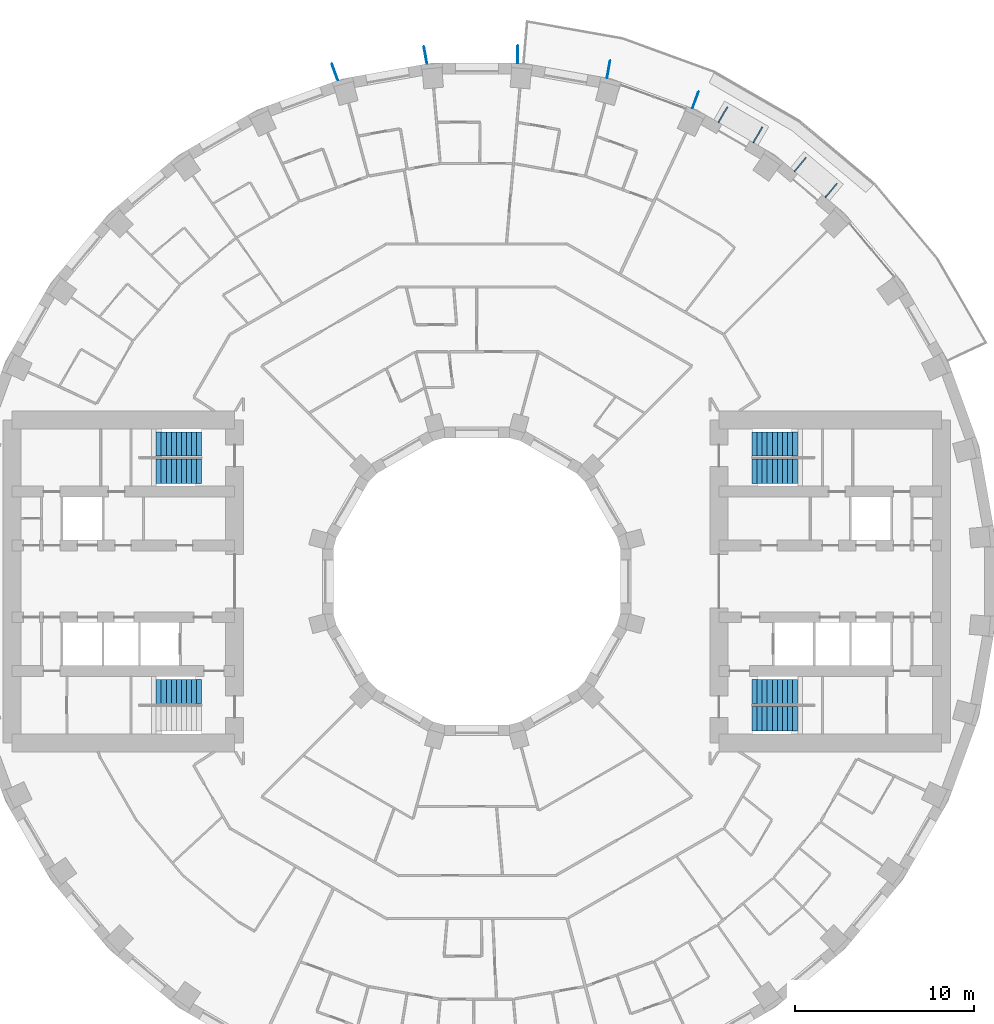
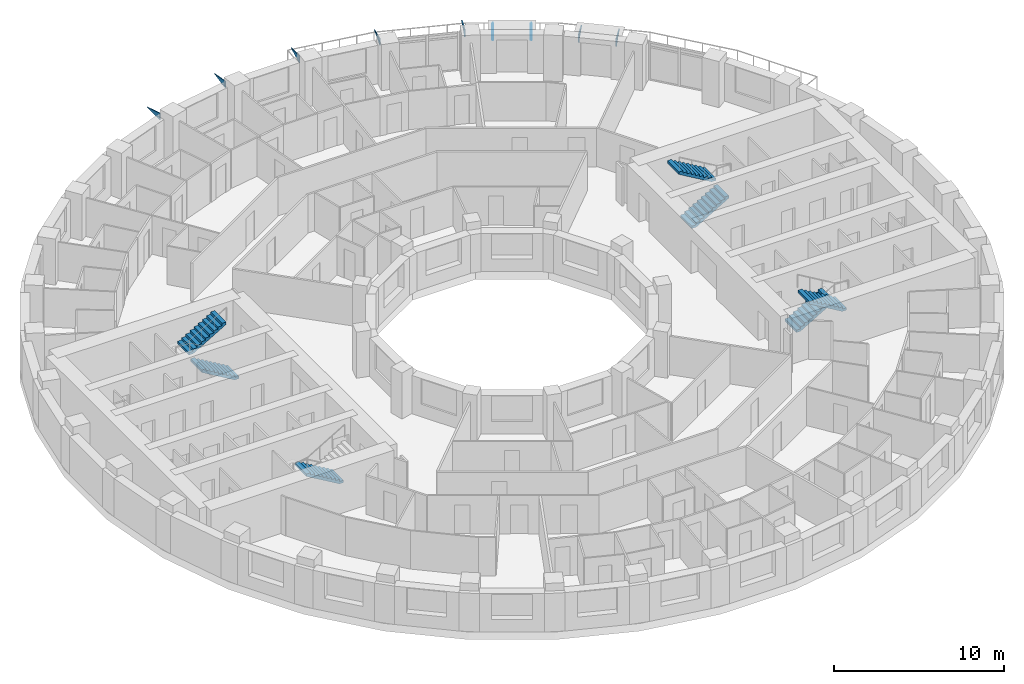
# One storey, part 14 of 15: 9 discrete accessories, 7 stair flights, 4 elements without a shape of their own.
"""IFC4 building model written with IfcOpenShell, lengths in metres."""

from ifc_helpers import new_model, si_unit, direction, frame, origin, place, context, subcontext, project, spatial, polyline, outline, extrude, material, layer, layer_set, type_object, element, aggregate, save


model = new_model("IFC4")

# Units and contexts
model_context = context("Model", 3, precision=1e-05, world=origin(), true_north=direction((0.0, 1.0)))
body_context = subcontext(model_context, "Body", "Model", "MODEL_VIEW")
ifc_project = project(units=[si_unit("LENGTHUNIT", "METRE"), si_unit("AREAUNIT", "SQUARE_METRE"), si_unit("VOLUMEUNIT", "CUBIC_METRE"), si_unit("PLANEANGLEUNIT", "RADIAN"), si_unit("MASSUNIT", "GRAM", prefix="KILO")], contexts=[model_context])

# Site, building, storey
site_placement = place(None, origin())
site = spatial("IfcSite", under=ifc_project, at=site_placement, CompositionType="ELEMENT")
building_placement = place(site_placement, origin())
building = spatial("IfcBuilding", under=site, at=building_placement, Name="Saqina Gate Tower", CompositionType="ELEMENT")
storey_placement = place(building_placement, frame((0.0, 0.0, 72.5)))
storey = spatial("IfcBuildingStorey", under=building, at=storey_placement, Name="L20", CompositionType="ELEMENT", Elevation=72.5)

# Stair, stair flights
ifc_material_1 = material(Name="Concrete C40/50", Category="concrete")
stair_type = type_object("IfcStairType", Name="EXIT STAIR", PredefinedType="HALF_TURN_STAIR", material=ifc_material_1)
stair_1_placement = place(storey_placement, origin())
stair_1 = element("IfcStair", 1, at=stair_1_placement, inside=storey, type_object=stair_type, Name="EXIT STAIR 1", PredefinedType="HALF_TURN_STAIR")
ifc_material_2 = material(Name="Concrete C40/50", Category="concrete")
stair_flight_type = type_object("IfcStairFlightType", Name="EXIT STAIR FLIGHT", PredefinedType="STRAIGHT", material=ifc_material_2)
stair_flight_1_placement = place(storey_placement, frame((15.35009765625, 6.1416015625, 0.0), z_axis=(0.0, 0.0, 1.0), x_axis=(1.0, 0.0, 0.0)))
stair_flight_1 = element("IfcStairFlight", 2, at=stair_flight_1_placement, type_object=stair_flight_type, Name="EXIT STAIR 1 FLIGHT 1", NumberOfRisers=10, NumberOfTreads=9, PredefinedType="STRAIGHT", RiserHeight=0.165, TreadLength=0.28, context=body_context, shape_type="SweptSolid", body=[
    extrude(outline(polyline([(0.0, 0.0), (0.0, 0.1650390625), (0.280029296875, 0.1650390625), (0.280029296875, 0.330078125), (0.56005859375, 0.330078125), (0.56005859375, 0.4951171875), (0.840087890625, 0.4951171875), (0.840087890625, 0.659912109375), (1.1201171875, 0.659912109375), (1.1201171875, 0.824951171875), (1.39990234375, 0.824951171875), (1.39990234375, 0.989990234375), (1.679931640625, 0.989990234375), (1.679931640625, 1.155029296875), (1.9599609375, 1.155029296875), (1.9599609375, 1.320068359375), (2.239990234375, 1.320068359375), (2.239990234375, 1.485107421875), (2.52001953125, 1.485107421875), (2.52001953125, 1.64990234375), (2.52001953125, 1.31103515625), (0.295166015625, 0.0), (0.0, 0.0)])), frame((0.0, 0.675048828125, 0.0), z_axis=(0.0, -1.0, 0.0), x_axis=(1.0, 0.0, 0.0)), (0.0, 0.0, 1.0), 1.35009765625),
])
stair_flight_2_placement = place(storey_placement, frame((17.8701171875, 7.658447265625, 1.64990234375), z_axis=(0.0, 0.0, 1.0), x_axis=(-1.0, 0.0, 0.0)))
stair_flight_2 = element("IfcStairFlight", 3, at=stair_flight_2_placement, type_object=stair_flight_type, Name="EXIT STAIR 1 FLIGHT 2", NumberOfRisers=10, NumberOfTreads=9, PredefinedType="STRAIGHT", RiserHeight=0.165, TreadLength=0.28, context=body_context, shape_type="SweptSolid", body=[
    extrude(outline(polyline([(0.0, 0.0), (0.0, 0.1650390625), (0.280029296875, 0.1650390625), (0.280029296875, 0.330078125), (0.56005859375, 0.330078125), (0.56005859375, 0.4951171875), (0.840087890625, 0.4951171875), (0.840087890625, 0.659912109375), (1.1201171875, 0.659912109375), (1.1201171875, 0.824951171875), (1.39990234375, 0.824951171875), (1.39990234375, 0.989990234375), (1.679931640625, 0.989990234375), (1.679931640625, 1.155029296875), (1.9599609375, 1.155029296875), (1.9599609375, 1.320068359375), (2.239990234375, 1.320068359375), (2.239990234375, 1.485107421875), (2.52001953125, 1.485107421875), (2.52001953125, 1.64990234375), (2.52001953125, 1.31103515625), (0.295166015625, 0.0), (0.0, 0.0)])), frame((0.0, 0.675048828125, 0.0), z_axis=(0.0, -1.0, 0.0), x_axis=(1.0, 0.0, 0.0)), (0.0, 0.0, 1.0), 1.35009765625),
])
aggregate(stair_1, [stair_flight_1, stair_flight_2])

stair_2_placement = place(storey_placement, origin())
stair_2 = element("IfcStair", 4, at=stair_2_placement, inside=storey, type_object=stair_type, Name="EXIT STAIR 2", PredefinedType="HALF_TURN_STAIR")
stair_flight_3_placement = place(storey_placement, frame((15.35009765625, -6.1416015625, 0.0), z_axis=(0.0, 0.0, 1.0), x_axis=(1.0, 0.0, 0.0)))
stair_flight_3 = element("IfcStairFlight", 5, at=stair_flight_3_placement, type_object=stair_flight_type, Name="EXIT STAIR 2 FLIGHT 1", NumberOfRisers=10, NumberOfTreads=9, PredefinedType="STRAIGHT", RiserHeight=0.165, TreadLength=0.28, context=body_context, shape_type="SweptSolid", body=[
    extrude(outline(polyline([(0.0, 0.0), (0.0, 0.1650390625), (0.280029296875, 0.1650390625), (0.280029296875, 0.330078125), (0.56005859375, 0.330078125), (0.56005859375, 0.4951171875), (0.840087890625, 0.4951171875), (0.840087890625, 0.659912109375), (1.1201171875, 0.659912109375), (1.1201171875, 0.824951171875), (1.39990234375, 0.824951171875), (1.39990234375, 0.989990234375), (1.679931640625, 0.989990234375), (1.679931640625, 1.155029296875), (1.9599609375, 1.155029296875), (1.9599609375, 1.320068359375), (2.239990234375, 1.320068359375), (2.239990234375, 1.485107421875), (2.52001953125, 1.485107421875), (2.52001953125, 1.64990234375), (2.52001953125, 1.31103515625), (0.295166015625, 0.0), (0.0, 0.0)])), frame((0.0, 0.675048828125, 0.0), z_axis=(0.0, -1.0, 0.0), x_axis=(1.0, 0.0, 0.0)), (0.0, 0.0, 1.0), 1.35009765625),
])
stair_flight_4_placement = place(storey_placement, frame((17.8701171875, -7.658447265625, 1.64990234375), z_axis=(0.0, 0.0, 1.0), x_axis=(-1.0, 0.0, 0.0)))
stair_flight_4 = element("IfcStairFlight", 6, at=stair_flight_4_placement, type_object=stair_flight_type, Name="EXIT STAIR 2 FLIGHT 2", NumberOfRisers=10, NumberOfTreads=9, PredefinedType="STRAIGHT", RiserHeight=0.165, TreadLength=0.28, context=body_context, shape_type="SweptSolid", body=[
    extrude(outline(polyline([(0.0, 0.0), (0.0, 0.1650390625), (0.280029296875, 0.1650390625), (0.280029296875, 0.330078125), (0.56005859375, 0.330078125), (0.56005859375, 0.4951171875), (0.840087890625, 0.4951171875), (0.840087890625, 0.659912109375), (1.1201171875, 0.659912109375), (1.1201171875, 0.824951171875), (1.39990234375, 0.824951171875), (1.39990234375, 0.989990234375), (1.679931640625, 0.989990234375), (1.679931640625, 1.155029296875), (1.9599609375, 1.155029296875), (1.9599609375, 1.320068359375), (2.239990234375, 1.320068359375), (2.239990234375, 1.485107421875), (2.52001953125, 1.485107421875), (2.52001953125, 1.64990234375), (2.52001953125, 1.31103515625), (0.295166015625, 0.0), (0.0, 0.0)])), frame((0.0, 0.675048828125, 0.0), z_axis=(0.0, -1.0, 0.0), x_axis=(1.0, 0.0, 0.0)), (0.0, 0.0, 1.0), 1.35009765625),
])
aggregate(stair_2, [stair_flight_3, stair_flight_4])

stair_3_placement = place(storey_placement, origin())
stair_3 = element("IfcStair", 7, at=stair_3_placement, inside=storey, type_object=stair_type, Name="EXIT STAIR 3", PredefinedType="HALF_TURN_STAIR")
stair_flight_5_placement = place(storey_placement, frame((-15.35009765625, 6.1416015625, 0.0), z_axis=(0.0, 0.0, 1.0), x_axis=(-1.0, 0.0, 0.0)))
stair_flight_5 = element("IfcStairFlight", 8, at=stair_flight_5_placement, type_object=stair_flight_type, Name="EXIT STAIR 3 FLIGHT 1", NumberOfRisers=10, NumberOfTreads=9, PredefinedType="STRAIGHT", RiserHeight=0.165, TreadLength=0.28, context=body_context, shape_type="SweptSolid", body=[
    extrude(outline(polyline([(0.0, 0.0), (0.0, 0.1650390625), (0.280029296875, 0.1650390625), (0.280029296875, 0.330078125), (0.56005859375, 0.330078125), (0.56005859375, 0.4951171875), (0.840087890625, 0.4951171875), (0.840087890625, 0.659912109375), (1.1201171875, 0.659912109375), (1.1201171875, 0.824951171875), (1.39990234375, 0.824951171875), (1.39990234375, 0.989990234375), (1.679931640625, 0.989990234375), (1.679931640625, 1.155029296875), (1.9599609375, 1.155029296875), (1.9599609375, 1.320068359375), (2.239990234375, 1.320068359375), (2.239990234375, 1.485107421875), (2.52001953125, 1.485107421875), (2.52001953125, 1.64990234375), (2.52001953125, 1.31103515625), (0.295166015625, 0.0), (0.0, 0.0)])), frame((0.0, 0.675048828125, 0.0), z_axis=(0.0, -1.0, 0.0), x_axis=(1.0, 0.0, 0.0)), (0.0, 0.0, 1.0), 1.35009765625),
])
stair_flight_6_placement = place(storey_placement, frame((-17.8701171875, 7.658447265625, 1.64990234375), z_axis=(0.0, 0.0, 1.0), x_axis=(1.0, 0.0, 0.0)))
stair_flight_6 = element("IfcStairFlight", 9, at=stair_flight_6_placement, type_object=stair_flight_type, Name="EXIT STAIR 3 FLIGHT 2", NumberOfRisers=10, NumberOfTreads=9, PredefinedType="STRAIGHT", RiserHeight=0.165, TreadLength=0.28, context=body_context, shape_type="SweptSolid", body=[
    extrude(outline(polyline([(0.0, 0.0), (0.0, 0.1650390625), (0.280029296875, 0.1650390625), (0.280029296875, 0.330078125), (0.56005859375, 0.330078125), (0.56005859375, 0.4951171875), (0.840087890625, 0.4951171875), (0.840087890625, 0.659912109375), (1.1201171875, 0.659912109375), (1.1201171875, 0.824951171875), (1.39990234375, 0.824951171875), (1.39990234375, 0.989990234375), (1.679931640625, 0.989990234375), (1.679931640625, 1.155029296875), (1.9599609375, 1.155029296875), (1.9599609375, 1.320068359375), (2.239990234375, 1.320068359375), (2.239990234375, 1.485107421875), (2.52001953125, 1.485107421875), (2.52001953125, 1.64990234375), (2.52001953125, 1.31103515625), (0.295166015625, 0.0), (0.0, 0.0)])), frame((0.0, 0.675048828125, 0.0), z_axis=(0.0, -1.0, 0.0), x_axis=(1.0, 0.0, 0.0)), (0.0, 0.0, 1.0), 1.35009765625),
])
aggregate(stair_3, [stair_flight_5, stair_flight_6])

# Stair, stair flight
stair_4_placement = place(storey_placement, origin())
stair_4 = element("IfcStair", 10, at=stair_4_placement, inside=storey, type_object=stair_type, Name="EXIT STAIR 4", PredefinedType="HALF_TURN_STAIR")
stair_flight_7_placement = place(storey_placement, frame((-15.35009765625, -6.1416015625, 0.0), z_axis=(0.0, 0.0, 1.0), x_axis=(-1.0, 0.0, 0.0)))
stair_flight_7 = element("IfcStairFlight", 11, at=stair_flight_7_placement, type_object=stair_flight_type, Name="EXIT STAIR 4 FLIGHT 1", NumberOfRisers=10, NumberOfTreads=9, PredefinedType="STRAIGHT", RiserHeight=0.165, TreadLength=0.28, context=body_context, shape_type="SweptSolid", body=[
    extrude(outline(polyline([(0.0, 0.0), (0.0, 0.1650390625), (0.280029296875, 0.1650390625), (0.280029296875, 0.330078125), (0.56005859375, 0.330078125), (0.56005859375, 0.4951171875), (0.840087890625, 0.4951171875), (0.840087890625, 0.659912109375), (1.1201171875, 0.659912109375), (1.1201171875, 0.824951171875), (1.39990234375, 0.824951171875), (1.39990234375, 0.989990234375), (1.679931640625, 0.989990234375), (1.679931640625, 1.155029296875), (1.9599609375, 1.155029296875), (1.9599609375, 1.320068359375), (2.239990234375, 1.320068359375), (2.239990234375, 1.485107421875), (2.52001953125, 1.485107421875), (2.52001953125, 1.64990234375), (2.52001953125, 1.31103515625), (0.295166015625, 0.0), (0.0, 0.0)])), frame((0.0, 0.675048828125, 0.0), z_axis=(0.0, -1.0, 0.0), x_axis=(1.0, 0.0, 0.0)), (0.0, 0.0, 1.0), 1.35009765625),
])
aggregate(stair_4, [stair_flight_7])

# Discrete accessories
ifc_material_3 = material(Name="Galvanised steel", Category="steel")
ifc_layer_1 = layer(ifc_material_3, 0.050048828125)
ifc_layer_set_1 = layer_set([ifc_layer_1], Name="BR-AWNING")
discrete_accessory_type_1 = type_object("IfcDiscreteAccessoryType", Name="BR-AWNING", PredefinedType="BRACKET", material=ifc_layer_set_1)
for number, where, z_axis, x_axis, name in (
    (12, (19.410888671875, 21.425048828125, 1.97509765625), (-0.766055819685, 0.64277405138, 0.0), (0.0, 0.0, 1.0), "Awning bracket L20 facet 5"),
    (13, (17.6904296875, 22.86865234375, 1.97509765625), (-0.766055819685, 0.64277405138, 0.0), (0.0, 0.0, 1.0), "Awning bracket L20 facet 5"),
):
    element("IfcDiscreteAccessory", number, at=place(storey_placement, frame(where, z_axis=z_axis, x_axis=x_axis)), inside=storey, type_object=discrete_accessory_type_1, Name=name, PredefinedType="BRACKET", context=body_context, shape_type="SweptSolid", body=[
        extrude(outline(polyline([(0.0, 0.0), (0.5498046875, 0.0), (0.5498046875, 1.0000750096322273), (0.0, 0.0)])), origin(), (0.0, 0.0, -1.0), 0.050048828125),
    ])
discrete_accessory_1_placement = place(storey_placement, frame((15.395751953125, 24.47021484375, 1.97509765625), z_axis=(-0.866010750942, 0.50002537861, 0.0), x_axis=(0.0, 0.0, 1.0)))
element("IfcDiscreteAccessory", 14, at=discrete_accessory_1_placement, inside=storey, type_object=discrete_accessory_type_1, Name="Awning bracket L20 facet 6", PredefinedType="BRACKET", context=body_context, shape_type="SweptSolid", body=[
    extrude(outline(polyline([(0.0, 0.0), (0.5498046875, 0.0), (0.5498046875, 0.9999492453569568), (0.0, 0.0)])), origin(), (0.0, 0.0, -1.0), 0.050048828125),
])
discrete_accessory_2_placement = place(storey_placement, frame((13.45068359375, 25.593017578125, 1.97509765625), z_axis=(-0.866071776036, 0.499919672301, 0.0), x_axis=(0.0, 0.0, 1.0)))
element("IfcDiscreteAccessory", 15, at=discrete_accessory_2_placement, inside=storey, type_object=discrete_accessory_type_1, Name="Awning bracket L20 facet 6", PredefinedType="BRACKET", context=body_context, shape_type="SweptSolid", body=[
    extrude(outline(polyline([(0.0, 0.0), (0.5498046875, 0.0), (0.5498046875, 1.0001606812130883), (0.0, 0.0)])), origin(), (0.0, 0.0, -1.0), 0.050048828125),
])
ifc_material_4 = material(Name="Galvanised steel", Category="steel")
ifc_layer_2 = layer(ifc_material_4, 0.050048828125)
ifc_layer_set_2 = layer_set([ifc_layer_2], Name="BR-GUSSET")
discrete_accessory_type_2 = type_object("IfcDiscreteAccessoryType", Name="BR-GUSSET", PredefinedType="BRACKET", material=ifc_layer_set_2)
discrete_accessory_3_placement = place(storey_placement, frame((11.99755859375, 26.376953125, 2.25), z_axis=(-0.939686455819, 0.342037080957, 0.0), x_axis=(0.0, 0.0, 1.0)))
element("IfcDiscreteAccessory", 16, at=discrete_accessory_3_placement, inside=storey, type_object=discrete_accessory_type_2, Name="Terrace slab bracket L21 1", PredefinedType="BRACKET", context=body_context, shape_type="SweptSolid", body=[
    extrude(outline(polyline([(0.0, 0.0), (0.5, 0.0), (0.5, 1.000011503630275), (0.0, 0.0)])), origin(), (0.0, 0.0, -1.0), 0.050048828125),
])
discrete_accessory_4_placement = place(storey_placement, frame((7.23486328125, 28.0595703125, 2.25), z_axis=(-0.984778643263, 0.173813186416, 0.0), x_axis=(0.0, 0.0, 1.0)))
element("IfcDiscreteAccessory", 17, at=discrete_accessory_4_placement, inside=storey, type_object=discrete_accessory_type_2, Name="Terrace slab bracket L21 2", PredefinedType="BRACKET", context=body_context, shape_type="SweptSolid", body=[
    extrude(outline(polyline([(0.0, 0.0), (0.5, 0.0), (0.5, 1.000085946204391), (0.0, 0.0)])), origin(), (0.0, 0.0, -1.0), 0.050048828125),
])
discrete_accessory_5_placement = place(storey_placement, frame((2.25244140625, 28.8896484375, 2.25), z_axis=(-1.0, 0.0, 0.0), x_axis=(0.0, 0.0, 1.0)))
element("IfcDiscreteAccessory", 18, at=discrete_accessory_5_placement, inside=storey, type_object=discrete_accessory_type_2, Name="Terrace slab bracket L21 3", PredefinedType="BRACKET", context=body_context, shape_type="SweptSolid", body=[
    extrude(outline(polyline([(0.0, 0.0), (0.5, 0.0), (0.5, 1.0), (0.0, 0.0)])), origin(), (0.0, 0.0, -1.0), 0.050048828125),
])
discrete_accessory_6_placement = place(storey_placement, frame((-2.79833984375, 28.841796875, 2.25), z_axis=(-0.984820401928, -0.173576426815, 0.0), x_axis=(0.0, 0.0, 1.0)))
element("IfcDiscreteAccessory", 19, at=discrete_accessory_6_placement, inside=storey, type_object=discrete_accessory_type_2, Name="Terrace slab bracket L21 4", PredefinedType="BRACKET", context=body_context, shape_type="SweptSolid", body=[
    extrude(outline(polyline([(0.0, 0.0), (0.5, 0.0), (0.5, 1.000043540245132), (0.0, 0.0)])), origin(), (0.0, 0.0, -1.0), 0.050048828125),
])
discrete_accessory_7_placement = place(storey_placement, frame((-7.76416015625, 27.917724609375, 2.25), z_axis=(-0.939686455819, -0.342037080957, 0.0), x_axis=(0.0, 0.0, 1.0)))
element("IfcDiscreteAccessory", 20, at=discrete_accessory_7_placement, inside=storey, type_object=discrete_accessory_type_2, Name="Terrace slab bracket L21 5", PredefinedType="BRACKET", context=body_context, shape_type="SweptSolid", body=[
    extrude(outline(polyline([(0.0, 0.0), (0.5, 0.0), (0.5, 1.000011503630275), (0.0, 0.0)])), origin(), (0.0, 0.0, -1.0), 0.050048828125),
])

save(model, "model.ifc")
